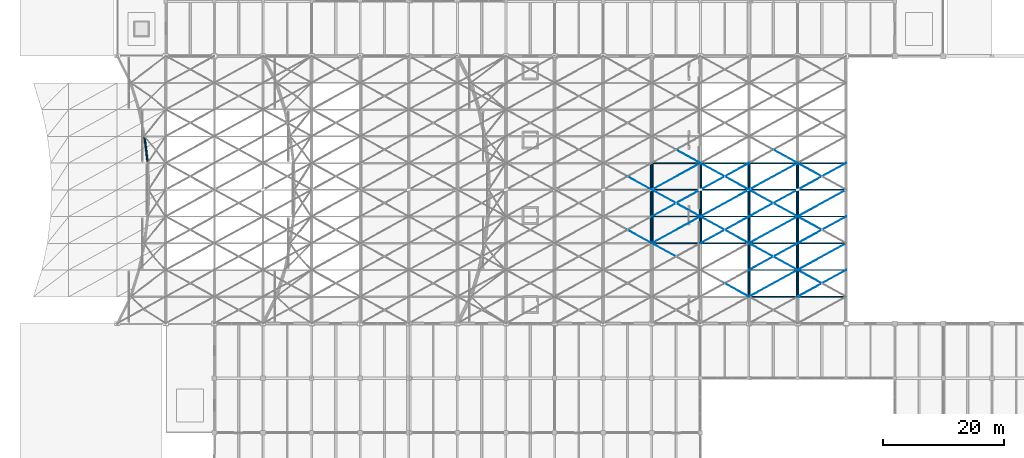
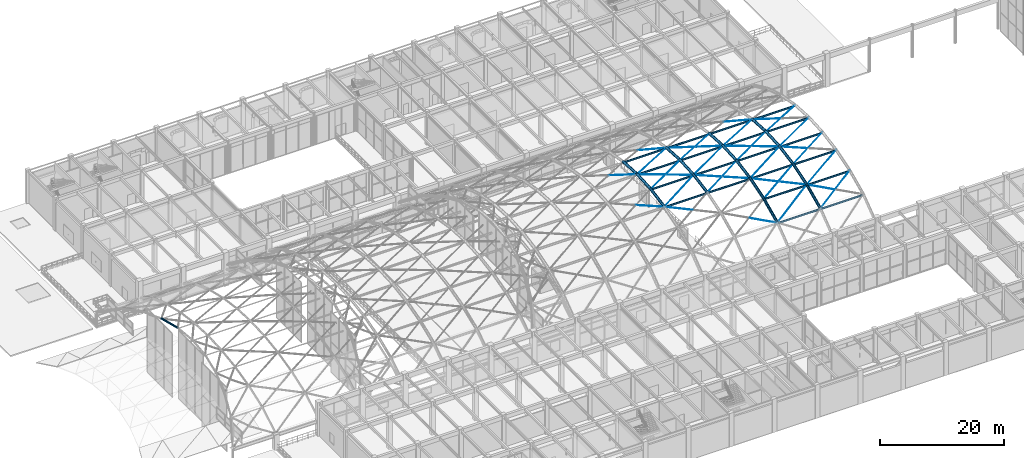
# One storey, part 50 of 163: 37 beams, 35 members.
"""IFC4 building model written with IfcOpenShell, lengths in metres."""

from ifc_helpers import new_model, si_unit, direction, frame, origin, origin_2d, place, context, subcontext, project, spatial, circle, hollow_circle, i_section, extrude, material, material_profile, profile_set, type_object, element, save


model = new_model("IFC4")

# Units and contexts
model_context = context("Model", 3, precision=1e-05, world=origin(), true_north=direction((0.0, 1.0)))
body_context = subcontext(model_context, "Body", "Model", "MODEL_VIEW")
ifc_project = project(units=[si_unit("LENGTHUNIT", "METRE"), si_unit("AREAUNIT", "SQUARE_METRE"), si_unit("VOLUMEUNIT", "CUBIC_METRE"), si_unit("PLANEANGLEUNIT", "RADIAN"), si_unit("MASSUNIT", "GRAM", prefix="KILO")], contexts=[model_context])

# Site, building, storey
site_placement = place(None, origin())
site = spatial("IfcSite", under=ifc_project, at=site_placement, CompositionType="ELEMENT")
building_placement = place(site_placement, origin())
building = spatial("IfcBuilding", under=site, at=building_placement, Name="Varnabhumi Central Station", CompositionType="ELEMENT")
storey_placement = place(building_placement, frame((0.0, 0.0, 9.60009765625)))
storey = spatial("IfcBuildingStorey", under=building, at=storey_placement, Name="L02", CompositionType="ELEMENT", Elevation=9.60009765625)

# Beams
ifc_material_1 = material(Name="Structural steel E350", Category="steel")
ifc_material_profile_1 = material_profile(ifc_material_1, hollow_circle(Radius=0.177734375, WallThickness=0.012451171875, at=origin_2d()), Name="Structural steel E350", Category="steel")
ifc_profile_set_1 = profile_set([ifc_material_profile_1], Name="Structural steel E350")
beam_type_1 = type_object("IfcBeamType", Name="BM-ARCH-CHS355", PredefinedType="BEAM", material=ifc_profile_set_1)
beam_1_placement = place(storey_placement, frame((21.0244140625, 62.39990234375, 8.79736328125), z_axis=(-0.119103158356, 0.983323968412, -0.137435114933), x_axis=(-0.992744345989, -0.120244182838, 0.0)))
element("IfcBeam", 1, at=beam_1_placement, inside=storey, type_object=beam_type_1, Name="Entrance Portico Vault Arch Rib 1 Seg 7", PredefinedType="BEAM", context=body_context, shape_type="SweptSolid", body=[
    extrude(hollow_circle(Radius=0.177734375, WallThickness=0.012451171875, at=origin_2d()), origin(), (0.0, 0.0, 1.0), 4.474853515625),
])
ifc_material_profile_2 = material_profile(ifc_material_1, hollow_circle(Radius=0.25390625, WallThickness=0.02001953125, at=origin_2d()), Name="Structural steel E350", Category="steel")
ifc_profile_set_2 = profile_set([ifc_material_profile_2], Name="Structural steel E350")
beam_type_2 = type_object("IfcBeamType", Name="BM-ARCH-CHS508", PredefinedType="BEAM", material=ifc_profile_set_2)
beam_2_placement = place(storey_placement, frame((104.0, 49.199951171875, 11.68701171875), z_axis=(0.0, 0.983888247404, 0.17878455364), x_axis=(-1.0, 0.0, 0.0)))
element("IfcBeam", 2, at=beam_2_placement, inside=storey, type_object=beam_type_2, Name="Departure Concourse Vault Arch Rib 5 Seg 4", PredefinedType="BEAM", context=body_context, shape_type="SweptSolid", body=[
    extrude(hollow_circle(Radius=0.25390625, WallThickness=0.02001953125, at=origin_2d()), origin(), (0.0, 0.0, 1.0), 4.47216796875),
])
for number, where, z_axis, x_axis, name in (
    (3, (104.0, 53.60009765625, 12.486572265625), (0.0, 0.998212519684, 0.059764249736), (-1.0, 0.0, 0.0), "Departure Concourse Vault Arch Rib 5 Seg 5"),
    (4, (104.0, 58.0, 12.75), (0.0, 0.998212519684, -0.059764249736), (-1.0, 0.0, 0.0), "Departure Concourse Vault Arch Rib 5 Seg 6"),
):
    element("IfcBeam", number, at=place(storey_placement, frame(where, z_axis=z_axis, x_axis=x_axis)), inside=storey, type_object=beam_type_2, Name=name, PredefinedType="BEAM", context=body_context, shape_type="SweptSolid", body=[
        extrude(hollow_circle(Radius=0.25390625, WallThickness=0.02001953125, at=origin_2d()), origin(), (0.0, 0.0, 1.0), 4.40771484375),
    ])
beam_3_placement = place(storey_placement, frame((112.0, 49.199951171875, 11.68701171875), z_axis=(0.0, 0.983888247404, 0.17878455364), x_axis=(-1.0, 0.0, 0.0)))
element("IfcBeam", 5, at=beam_3_placement, inside=storey, type_object=beam_type_2, Name="Departure Concourse Vault Arch Rib 6 Seg 4", PredefinedType="BEAM", context=body_context, shape_type="SweptSolid", body=[
    extrude(hollow_circle(Radius=0.25390625, WallThickness=0.02001953125, at=origin_2d()), origin(), (0.0, 0.0, 1.0), 4.47216796875),
])
for number, where, z_axis, x_axis, name in (
    (6, (112.0, 53.60009765625, 12.486572265625), (0.0, 0.998212519684, 0.059764249736), (-1.0, 0.0, 0.0), "Departure Concourse Vault Arch Rib 6 Seg 5"),
    (7, (112.0, 58.0, 12.75), (0.0, 0.998212519684, -0.059764249736), (-1.0, 0.0, 0.0), "Departure Concourse Vault Arch Rib 6 Seg 6"),
):
    element("IfcBeam", number, at=place(storey_placement, frame(where, z_axis=z_axis, x_axis=x_axis)), inside=storey, type_object=beam_type_2, Name=name, PredefinedType="BEAM", context=body_context, shape_type="SweptSolid", body=[
        extrude(hollow_circle(Radius=0.25390625, WallThickness=0.02001953125, at=origin_2d()), origin(), (0.0, 0.0, 1.0), 4.40771484375),
    ])
beam_4_placement = place(storey_placement, frame((120.0, 40.39990234375, 8.270751953125), z_axis=(0.0, 0.906832494276, 0.421491194837), x_axis=(-1.0, 0.0, 0.0)))
element("IfcBeam", 8, at=beam_4_placement, inside=storey, type_object=beam_type_2, Name="Departure Concourse Vault Arch Rib 7 Seg 2", PredefinedType="BEAM", context=body_context, shape_type="SweptSolid", body=[
    extrude(hollow_circle(Radius=0.25390625, WallThickness=0.02001953125, at=origin_2d()), origin(), (0.0, 0.0, 1.0), 4.852294921875),
])
beam_5_placement = place(storey_placement, frame((120.0, 44.800048828125, 10.31591796875), z_axis=(0.0, 0.954719095828, 0.29750873611), x_axis=(-1.0, 0.0, 0.0)))
element("IfcBeam", 9, at=beam_5_placement, inside=storey, type_object=beam_type_2, Name="Departure Concourse Vault Arch Rib 7 Seg 3", PredefinedType="BEAM", context=body_context, shape_type="SweptSolid", body=[
    extrude(hollow_circle(Radius=0.25390625, WallThickness=0.02001953125, at=origin_2d()), origin(), (0.0, 0.0, 1.0), 4.608642578125),
])
beam_6_placement = place(storey_placement, frame((120.0, 49.199951171875, 11.68701171875), z_axis=(0.0, 0.983888247404, 0.17878455364), x_axis=(-1.0, 0.0, 0.0)))
element("IfcBeam", 10, at=beam_6_placement, inside=storey, type_object=beam_type_2, Name="Departure Concourse Vault Arch Rib 7 Seg 4", PredefinedType="BEAM", context=body_context, shape_type="SweptSolid", body=[
    extrude(hollow_circle(Radius=0.25390625, WallThickness=0.02001953125, at=origin_2d()), origin(), (0.0, 0.0, 1.0), 4.47216796875),
])
for number, where, z_axis, x_axis, name in (
    (11, (120.0, 53.60009765625, 12.486572265625), (0.0, 0.998212519684, 0.059764249736), (-1.0, 0.0, 0.0), "Departure Concourse Vault Arch Rib 7 Seg 5"),
    (12, (120.0, 58.0, 12.75), (0.0, 0.998212519684, -0.059764249736), (-1.0, 0.0, 0.0), "Departure Concourse Vault Arch Rib 7 Seg 6"),
):
    element("IfcBeam", number, at=place(storey_placement, frame(where, z_axis=z_axis, x_axis=x_axis)), inside=storey, type_object=beam_type_2, Name=name, PredefinedType="BEAM", context=body_context, shape_type="SweptSolid", body=[
        extrude(hollow_circle(Radius=0.25390625, WallThickness=0.02001953125, at=origin_2d()), origin(), (0.0, 0.0, 1.0), 4.40771484375),
    ])
beam_7_placement = place(storey_placement, frame((128.0, 40.39990234375, 8.270751953125), z_axis=(0.0, 0.906832494276, 0.421491194837), x_axis=(-1.0, 0.0, 0.0)))
element("IfcBeam", 13, at=beam_7_placement, inside=storey, type_object=beam_type_2, Name="Departure Concourse Vault Arch Rib 8 Seg 2", PredefinedType="BEAM", context=body_context, shape_type="SweptSolid", body=[
    extrude(hollow_circle(Radius=0.25390625, WallThickness=0.02001953125, at=origin_2d()), origin(), (0.0, 0.0, 1.0), 4.852294921875),
])
beam_8_placement = place(storey_placement, frame((128.0, 44.800048828125, 10.31591796875), z_axis=(0.0, 0.954719095828, 0.29750873611), x_axis=(-1.0, 0.0, 0.0)))
element("IfcBeam", 14, at=beam_8_placement, inside=storey, type_object=beam_type_2, Name="Departure Concourse Vault Arch Rib 8 Seg 3", PredefinedType="BEAM", context=body_context, shape_type="SweptSolid", body=[
    extrude(hollow_circle(Radius=0.25390625, WallThickness=0.02001953125, at=origin_2d()), origin(), (0.0, 0.0, 1.0), 4.608642578125),
])
beam_9_placement = place(storey_placement, frame((128.0, 49.199951171875, 11.68701171875), z_axis=(0.0, 0.983888247404, 0.17878455364), x_axis=(-1.0, 0.0, 0.0)))
element("IfcBeam", 15, at=beam_9_placement, inside=storey, type_object=beam_type_2, Name="Departure Concourse Vault Arch Rib 8 Seg 4", PredefinedType="BEAM", context=body_context, shape_type="SweptSolid", body=[
    extrude(hollow_circle(Radius=0.25390625, WallThickness=0.02001953125, at=origin_2d()), origin(), (0.0, 0.0, 1.0), 4.47216796875),
])
for number, where, z_axis, x_axis, name in (
    (16, (128.0, 53.60009765625, 12.486572265625), (0.0, 0.998212519684, 0.059764249736), (-1.0, 0.0, 0.0), "Departure Concourse Vault Arch Rib 8 Seg 5"),
    (17, (128.0, 58.0, 12.75), (0.0, 0.998212519684, -0.059764249736), (-1.0, 0.0, 0.0), "Departure Concourse Vault Arch Rib 8 Seg 6"),
):
    element("IfcBeam", number, at=place(storey_placement, frame(where, z_axis=z_axis, x_axis=x_axis)), inside=storey, type_object=beam_type_2, Name=name, PredefinedType="BEAM", context=body_context, shape_type="SweptSolid", body=[
        extrude(hollow_circle(Radius=0.25390625, WallThickness=0.02001953125, at=origin_2d()), origin(), (0.0, 0.0, 1.0), 4.40771484375),
    ])
ifc_material_profile_3 = material_profile(ifc_material_1, i_section(OverallWidth=0.139892578125, OverallDepth=0.35009765625, WebThickness=0.008056640625, FlangeThickness=0.01416015625, FilletRadius=0.013916015625, at=origin_2d()), Name="Structural steel E350", Category="steel")
ifc_profile_set_3 = profile_set([ifc_material_profile_3], Name="Structural steel E350")
beam_type_3 = type_object("IfcBeamType", Name="BM-PUR-ISMB350", PredefinedType="LINTEL", material=ifc_profile_set_3)
for number, where, z_axis, x_axis, name in (
    (18, (104.0, 49.199951171875, 11.511962890625), (1.0, 0.0, 0.0), (0.0, 1.0, 0.0), "Departure Concourse Vault Purlin B5-L3"),
    (19, (104.0, 53.60009765625, 12.3115234375), (1.0, 0.0, 0.0), (0.0, 1.0, 0.0), "Departure Concourse Vault Purlin B5-L4"),
    (20, (104.0, 58.0, 12.574951171875), (1.0, 0.0, 0.0), (0.0, 1.0, 0.0), "Departure Concourse Vault Purlin B5-L5"),
    (21, (104.0, 62.39990234375, 12.3115234375), (1.0, 0.0, 0.0), (0.0, 1.0, 0.0), "Departure Concourse Vault Purlin B5-L6"),
    (22, (112.0, 49.199951171875, 11.511962890625), (1.0, 0.0, 0.0), (0.0, 1.0, 0.0), "Departure Concourse Vault Purlin B6-L3"),
    (23, (112.0, 53.60009765625, 12.3115234375), (1.0, 0.0, 0.0), (0.0, 1.0, 0.0), "Departure Concourse Vault Purlin B6-L4"),
    (24, (112.0, 58.0, 12.574951171875), (1.0, 0.0, 0.0), (0.0, 1.0, 0.0), "Departure Concourse Vault Purlin B6-L5"),
    (25, (112.0, 62.39990234375, 12.3115234375), (1.0, 0.0, 0.0), (0.0, 1.0, 0.0), "Departure Concourse Vault Purlin B6-L6"),
    (26, (120.0, 40.39990234375, 8.095703125), (1.0, 0.0, 0.0), (0.0, 1.0, 0.0), "Departure Concourse Vault Purlin B7-L1"),
    (27, (120.0, 44.800048828125, 10.140869140625), (1.0, 0.0, 0.0), (0.0, 1.0, 0.0), "Departure Concourse Vault Purlin B7-L2"),
    (28, (120.0, 49.199951171875, 11.511962890625), (1.0, 0.0, 0.0), (0.0, 1.0, 0.0), "Departure Concourse Vault Purlin B7-L3"),
    (29, (120.0, 53.60009765625, 12.3115234375), (1.0, 0.0, 0.0), (0.0, 1.0, 0.0), "Departure Concourse Vault Purlin B7-L4"),
    (30, (120.0, 58.0, 12.574951171875), (1.0, 0.0, 0.0), (0.0, 1.0, 0.0), "Departure Concourse Vault Purlin B7-L5"),
    (31, (120.0, 62.39990234375, 12.3115234375), (1.0, 0.0, 0.0), (0.0, 1.0, 0.0), "Departure Concourse Vault Purlin B7-L6"),
    (32, (128.0, 40.39990234375, 8.095703125), (1.0, 0.0, 0.0), (0.0, 1.0, 0.0), "Departure Concourse Vault Purlin B8-L1"),
    (33, (128.0, 44.800048828125, 10.140869140625), (1.0, 0.0, 0.0), (0.0, 1.0, 0.0), "Departure Concourse Vault Purlin B8-L2"),
    (34, (128.0, 49.199951171875, 11.511962890625), (1.0, 0.0, 0.0), (0.0, 1.0, 0.0), "Departure Concourse Vault Purlin B8-L3"),
    (35, (128.0, 53.60009765625, 12.3115234375), (1.0, 0.0, 0.0), (0.0, 1.0, 0.0), "Departure Concourse Vault Purlin B8-L4"),
    (36, (128.0, 58.0, 12.574951171875), (1.0, 0.0, 0.0), (0.0, 1.0, 0.0), "Departure Concourse Vault Purlin B8-L5"),
    (37, (128.0, 62.39990234375, 12.3115234375), (1.0, 0.0, 0.0), (0.0, 1.0, 0.0), "Departure Concourse Vault Purlin B8-L6"),
):
    element("IfcBeam", number, at=place(storey_placement, frame(where, z_axis=z_axis, x_axis=x_axis)), inside=storey, type_object=beam_type_3, Name=name, PredefinedType="LINTEL", context=body_context, shape_type="SweptSolid", body=[
        extrude(i_section(OverallWidth=0.139892578125, OverallDepth=0.35009765625, WebThickness=0.008056640625, FlangeThickness=0.01416015625, FilletRadius=0.013916015625, at=origin_2d()), origin(), (0.0, 0.0, 1.0), 8.0),
    ])

# Members
ifc_material_2 = material(Name="Spiral-strand steel S1570", Category="steel")
ifc_material_profile_4 = material_profile(ifc_material_2, circle(Radius=0.027099609375, at=origin_2d()), Name="Spiral-strand steel S1570", Category="steel")
ifc_profile_set_4 = profile_set([ifc_material_profile_4], Name="Spiral-strand steel S1570")
member_type = type_object("IfcMemberType", Name="MBR-CABLE-D54", PredefinedType="USERDEFINED", material=ifc_profile_set_4)
member_1_placement = place(storey_placement, frame((100.0, 51.39990234375, 12.0068359375), z_axis=(0.872877649429, -0.480072051941, -0.087266454453), x_axis=(0.481910537812, 0.876220425204, 0.0)))
element("IfcMember", 38, at=member_1_placement, inside=storey, type_object=member_type, Name="Departure Concourse Vault Cable-Net Split Tie B4-P4B2", ObjectType="TENSION CABLE", PredefinedType="USERDEFINED", context=body_context, shape_type="SweptSolid", body=[
    extrude(circle(Radius=0.027099609375, at=origin_2d()), origin(), (0.0, 0.0, 1.0), 4.58251953125),
])
member_2_placement = place(storey_placement, frame((100.0, 60.199951171875, 12.5380859375), z_axis=(0.875855262672, -0.481709702877, 0.028867299917), x_axis=(0.481910537812, 0.876220425204, 0.0)))
element("IfcMember", 39, at=member_2_placement, inside=storey, type_object=member_type, Name="Departure Concourse Vault Cable-Net Split Tie B4-P6B2", ObjectType="TENSION CABLE", PredefinedType="USERDEFINED", context=body_context, shape_type="SweptSolid", body=[
    extrude(circle(Radius=0.027099609375, at=origin_2d()), origin(), (0.0, 0.0, 1.0), 4.56689453125),
])
member_3_placement = place(storey_placement, frame((104.0, 49.199951171875, 11.60693359375), z_axis=(0.866504286303, -0.476566780022, -0.148507326412), x_axis=(0.481910537812, 0.876220425204, 0.0)))
element("IfcMember", 40, at=member_3_placement, inside=storey, type_object=member_type, Name="Departure Concourse Vault Cable-Net Split Tie B5-P3B1", ObjectType="TENSION CABLE", PredefinedType="USERDEFINED", context=body_context, shape_type="SweptSolid", body=[
    extrude(circle(Radius=0.027099609375, at=origin_2d()), origin(), (0.0, 0.0, 1.0), 4.6162109375),
])
member_4_placement = place(storey_placement, frame((104.0, 49.199951171875, 11.60693359375), z_axis=(0.872868515511, 0.480093666231, 0.087238903451), x_axis=(-0.481931067474, 0.876209133828, 0.0)))
element("IfcMember", 41, at=member_4_placement, inside=storey, type_object=member_type, Name="Departure Concourse Vault Cable-Net Tie B5-P4A", ObjectType="TENSION CABLE", PredefinedType="USERDEFINED", context=body_context, shape_type="SweptSolid", body=[
    extrude(circle(Radius=0.027099609375, at=origin_2d()), origin(), (0.0, 0.0, 1.0), 9.165283203125),
])
member_5_placement = place(storey_placement, frame((104.0, 53.60009765625, 12.406494140625), z_axis=(0.875855938164, 0.481710074389, 0.028840593179), x_axis=(-0.481910537812, 0.876220425204, 0.0)))
element("IfcMember", 42, at=member_5_placement, inside=storey, type_object=member_type, Name="Departure Concourse Vault Cable-Net Tie B5-P5A", ObjectType="TENSION CABLE", PredefinedType="USERDEFINED", context=body_context, shape_type="SweptSolid", body=[
    extrude(circle(Radius=0.027099609375, at=origin_2d()), origin(), (0.0, 0.0, 1.0), 9.134033203125),
])
for number, where, z_axis, x_axis, name in (
    (43, (104.0, 58.0, 12.669921875), (0.875855262672, -0.481709702877, -0.028867299917), (0.481910537812, 0.876220425204, 0.0), "Departure Concourse Vault Cable-Net Split Tie B5-P5B1"),
    (44, (108.0, 55.800048828125, 12.5380859375), (0.875856613032, -0.481710445558, -0.028813886378), (0.481910537812, 0.876220425204, 0.0), "Departure Concourse Vault Cable-Net Split Tie B5-P5B2"),
):
    element("IfcMember", number, at=place(storey_placement, frame(where, z_axis=z_axis, x_axis=x_axis)), inside=storey, type_object=member_type, Name=name, ObjectType="TENSION CABLE", PredefinedType="USERDEFINED", context=body_context, shape_type="SweptSolid", body=[
        extrude(circle(Radius=0.027099609375, at=origin_2d()), origin(), (0.0, 0.0, 1.0), 4.56689453125),
    ])
member_6_placement = place(storey_placement, frame((104.0, 58.0, 12.669921875), z_axis=(0.875855938164, 0.481710074389, -0.028840593179), x_axis=(-0.481910537812, 0.876220425204, 0.0)))
element("IfcMember", 45, at=member_6_placement, inside=storey, type_object=member_type, Name="Departure Concourse Vault Cable-Net Tie B5-P6A", ObjectType="TENSION CABLE", PredefinedType="USERDEFINED", context=body_context, shape_type="SweptSolid", body=[
    extrude(circle(Radius=0.027099609375, at=origin_2d()), origin(), (0.0, 0.0, 1.0), 9.134033203125),
])
member_7_placement = place(storey_placement, frame((108.0, 64.60009765625, 12.0068359375), z_axis=(0.872859380641, -0.480115279439, 0.087211352912), x_axis=(0.481951596342, 0.876197842262, 0.0)))
element("IfcMember", 46, at=member_7_placement, inside=storey, type_object=member_type, Name="Departure Concourse Vault Cable-Net Split Tie B5-P7B2", ObjectType="TENSION CABLE", PredefinedType="USERDEFINED", context=body_context, shape_type="SweptSolid", body=[
    extrude(circle(Radius=0.027099609375, at=origin_2d()), origin(), (0.0, 0.0, 1.0), 4.58251953125),
])
member_8_placement = place(storey_placement, frame((116.0, 42.60009765625, 9.21337890625), z_axis=(0.855015442154, -0.470300241986, -0.218554972641), x_axis=(0.481951596342, 0.876197842262, 0.0)))
element("IfcMember", 47, at=member_8_placement, inside=storey, type_object=member_type, Name="Departure Concourse Vault Cable-Net Split Tie B6-P2B2", ObjectType="TENSION CABLE", PredefinedType="USERDEFINED", context=body_context, shape_type="SweptSolid", body=[
    extrude(circle(Radius=0.027099609375, at=origin_2d()), origin(), (0.0, 0.0, 1.0), 4.67822265625),
])
member_9_placement = place(storey_placement, frame((112.0, 49.199951171875, 11.60693359375), z_axis=(0.872868515511, 0.480093666231, 0.087238903451), x_axis=(-0.481931067474, 0.876209133828, 0.0)))
element("IfcMember", 48, at=member_9_placement, inside=storey, type_object=member_type, Name="Departure Concourse Vault Cable-Net Tie B6-P4A", ObjectType="TENSION CABLE", PredefinedType="USERDEFINED", context=body_context, shape_type="SweptSolid", body=[
    extrude(circle(Radius=0.027099609375, at=origin_2d()), origin(), (0.0, 0.0, 1.0), 9.165283203125),
])
for number, where, z_axis, x_axis, name in (
    (49, (112.0, 53.60009765625, 12.406494140625), (0.872859380641, -0.480115279439, -0.087211352912), (0.481951596342, 0.876197842262, 0.0), "Departure Concourse Vault Cable-Net Split Tie B6-P4B1"),
    (50, (116.0, 51.39990234375, 12.0068359375), (0.872877649429, -0.480072051941, -0.087266454453), (0.481910537812, 0.876220425204, 0.0), "Departure Concourse Vault Cable-Net Split Tie B6-P4B2"),
):
    element("IfcMember", number, at=place(storey_placement, frame(where, z_axis=z_axis, x_axis=x_axis)), inside=storey, type_object=member_type, Name=name, ObjectType="TENSION CABLE", PredefinedType="USERDEFINED", context=body_context, shape_type="SweptSolid", body=[
        extrude(circle(Radius=0.027099609375, at=origin_2d()), origin(), (0.0, 0.0, 1.0), 4.58251953125),
    ])
for number, where, z_axis, x_axis, name in (
    (51, (112.0, 53.60009765625, 12.406494140625), (0.875855938164, 0.481710074389, 0.028840593179), (-0.481910537812, 0.876220425204, 0.0), "Departure Concourse Vault Cable-Net Tie B6-P5A"),
    (52, (112.0, 58.0, 12.669921875), (0.875855938164, 0.481710074389, -0.028840593179), (-0.481910537812, 0.876220425204, 0.0), "Departure Concourse Vault Cable-Net Tie B6-P6A"),
):
    element("IfcMember", number, at=place(storey_placement, frame(where, z_axis=z_axis, x_axis=x_axis)), inside=storey, type_object=member_type, Name=name, ObjectType="TENSION CABLE", PredefinedType="USERDEFINED", context=body_context, shape_type="SweptSolid", body=[
        extrude(circle(Radius=0.027099609375, at=origin_2d()), origin(), (0.0, 0.0, 1.0), 9.134033203125),
    ])
for number, where, z_axis, x_axis, name in (
    (53, (112.0, 62.39990234375, 12.406494140625), (0.875856613032, -0.481710445558, 0.028813886378), (0.481910537812, 0.876220425204, 0.0), "Departure Concourse Vault Cable-Net Split Tie B6-P6B1"),
    (54, (116.0, 60.199951171875, 12.5380859375), (0.875855262672, -0.481709702877, 0.028867299917), (0.481910537812, 0.876220425204, 0.0), "Departure Concourse Vault Cable-Net Split Tie B6-P6B2"),
):
    element("IfcMember", number, at=place(storey_placement, frame(where, z_axis=z_axis, x_axis=x_axis)), inside=storey, type_object=member_type, Name=name, ObjectType="TENSION CABLE", PredefinedType="USERDEFINED", context=body_context, shape_type="SweptSolid", body=[
        extrude(circle(Radius=0.027099609375, at=origin_2d()), origin(), (0.0, 0.0, 1.0), 4.56689453125),
    ])
member_10_placement = place(storey_placement, frame((120.0, 40.39990234375, 8.19091796875), z_axis=(0.855025934416, 0.470279919921, 0.218557654623), x_axis=(-0.481931067474, 0.876209133828, 0.0)))
element("IfcMember", 55, at=member_10_placement, inside=storey, type_object=member_type, Name="Departure Concourse Vault Cable-Net Tie B7-P2A", ObjectType="TENSION CABLE", PredefinedType="USERDEFINED", context=body_context, shape_type="SweptSolid", body=[
    extrude(circle(Radius=0.027099609375, at=origin_2d()), origin(), (0.0, 0.0, 1.0), 9.3564453125),
])
member_11_placement = place(storey_placement, frame((120.0, 44.800048828125, 10.23583984375), z_axis=(0.866504286303, 0.476566780022, 0.148507326412), x_axis=(-0.481910537812, 0.876220425204, 0.0)))
element("IfcMember", 56, at=member_11_placement, inside=storey, type_object=member_type, Name="Departure Concourse Vault Cable-Net Tie B7-P3A", ObjectType="TENSION CABLE", PredefinedType="USERDEFINED", context=body_context, shape_type="SweptSolid", body=[
    extrude(circle(Radius=0.027099609375, at=origin_2d()), origin(), (0.0, 0.0, 1.0), 9.232421875),
])
for number, where, z_axis, x_axis, name in (
    (57, (120.0, 49.199951171875, 11.60693359375), (0.866504286303, -0.476566780022, -0.148507326412), (0.481910537812, 0.876220425204, 0.0), "Departure Concourse Vault Cable-Net Split Tie B7-P3B1"),
    (58, (124.0, 47.0, 10.92138671875), (0.866504286303, -0.476566780022, -0.148507326412), (0.481910537812, 0.876220425204, 0.0), "Departure Concourse Vault Cable-Net Split Tie B7-P3B2"),
):
    element("IfcMember", number, at=place(storey_placement, frame(where, z_axis=z_axis, x_axis=x_axis)), inside=storey, type_object=member_type, Name=name, ObjectType="TENSION CABLE", PredefinedType="USERDEFINED", context=body_context, shape_type="SweptSolid", body=[
        extrude(circle(Radius=0.027099609375, at=origin_2d()), origin(), (0.0, 0.0, 1.0), 4.6162109375),
    ])
member_12_placement = place(storey_placement, frame((120.0, 49.199951171875, 11.60693359375), z_axis=(0.872868515511, 0.480093666231, 0.087238903451), x_axis=(-0.481931067474, 0.876209133828, 0.0)))
element("IfcMember", 59, at=member_12_placement, inside=storey, type_object=member_type, Name="Departure Concourse Vault Cable-Net Tie B7-P4A", ObjectType="TENSION CABLE", PredefinedType="USERDEFINED", context=body_context, shape_type="SweptSolid", body=[
    extrude(circle(Radius=0.027099609375, at=origin_2d()), origin(), (0.0, 0.0, 1.0), 9.165283203125),
])
member_13_placement = place(storey_placement, frame((120.0, 53.60009765625, 12.406494140625), z_axis=(0.875855938164, 0.481710074389, 0.028840593179), x_axis=(-0.481910537812, 0.876220425204, 0.0)))
element("IfcMember", 60, at=member_13_placement, inside=storey, type_object=member_type, Name="Departure Concourse Vault Cable-Net Tie B7-P5A", ObjectType="TENSION CABLE", PredefinedType="USERDEFINED", context=body_context, shape_type="SweptSolid", body=[
    extrude(circle(Radius=0.027099609375, at=origin_2d()), origin(), (0.0, 0.0, 1.0), 9.134033203125),
])
for number, where, z_axis, x_axis, name in (
    (61, (120.0, 58.0, 12.669921875), (0.875855262672, -0.481709702877, -0.028867299917), (0.481910537812, 0.876220425204, 0.0), "Departure Concourse Vault Cable-Net Split Tie B7-P5B1"),
    (62, (124.0, 55.800048828125, 12.5380859375), (0.875856613032, -0.481710445558, -0.028813886378), (0.481910537812, 0.876220425204, 0.0), "Departure Concourse Vault Cable-Net Split Tie B7-P5B2"),
):
    element("IfcMember", number, at=place(storey_placement, frame(where, z_axis=z_axis, x_axis=x_axis)), inside=storey, type_object=member_type, Name=name, ObjectType="TENSION CABLE", PredefinedType="USERDEFINED", context=body_context, shape_type="SweptSolid", body=[
        extrude(circle(Radius=0.027099609375, at=origin_2d()), origin(), (0.0, 0.0, 1.0), 4.56689453125),
    ])
member_14_placement = place(storey_placement, frame((120.0, 58.0, 12.669921875), z_axis=(0.875855938164, 0.481710074389, -0.028840593179), x_axis=(-0.481910537812, 0.876220425204, 0.0)))
element("IfcMember", 63, at=member_14_placement, inside=storey, type_object=member_type, Name="Departure Concourse Vault Cable-Net Tie B7-P6A", ObjectType="TENSION CABLE", PredefinedType="USERDEFINED", context=body_context, shape_type="SweptSolid", body=[
    extrude(circle(Radius=0.027099609375, at=origin_2d()), origin(), (0.0, 0.0, 1.0), 9.134033203125),
])
member_15_placement = place(storey_placement, frame((124.0, 64.60009765625, 12.0068359375), z_axis=(0.872859380641, -0.480115279439, 0.087211352912), x_axis=(0.481951596342, 0.876197842262, 0.0)))
element("IfcMember", 64, at=member_15_placement, inside=storey, type_object=member_type, Name="Departure Concourse Vault Cable-Net Split Tie B7-P7B2", ObjectType="TENSION CABLE", PredefinedType="USERDEFINED", context=body_context, shape_type="SweptSolid", body=[
    extrude(circle(Radius=0.027099609375, at=origin_2d()), origin(), (0.0, 0.0, 1.0), 4.58251953125),
])
member_16_placement = place(storey_placement, frame((128.0, 40.39990234375, 8.19091796875), z_axis=(0.855025934416, 0.470279919921, 0.218557654623), x_axis=(-0.481931067474, 0.876209133828, 0.0)))
element("IfcMember", 65, at=member_16_placement, inside=storey, type_object=member_type, Name="Departure Concourse Vault Cable-Net Tie B8-P2A", ObjectType="TENSION CABLE", PredefinedType="USERDEFINED", context=body_context, shape_type="SweptSolid", body=[
    extrude(circle(Radius=0.027099609375, at=origin_2d()), origin(), (0.0, 0.0, 1.0), 9.3564453125),
])
member_17_placement = place(storey_placement, frame((128.0, 44.800048828125, 10.23583984375), z_axis=(0.855036426483, -0.470259597109, -0.218560336554), x_axis=(0.481910537812, 0.876220425204, 0.0)))
element("IfcMember", 66, at=member_17_placement, inside=storey, type_object=member_type, Name="Departure Concourse Vault Cable-Net Split Tie B8-P2B1", ObjectType="TENSION CABLE", PredefinedType="USERDEFINED", context=body_context, shape_type="SweptSolid", body=[
    extrude(circle(Radius=0.027099609375, at=origin_2d()), origin(), (0.0, 0.0, 1.0), 4.67822265625),
])
member_18_placement = place(storey_placement, frame((128.0, 44.800048828125, 10.23583984375), z_axis=(0.866504286303, 0.476566780022, 0.148507326412), x_axis=(-0.481910537812, 0.876220425204, 0.0)))
element("IfcMember", 67, at=member_18_placement, inside=storey, type_object=member_type, Name="Departure Concourse Vault Cable-Net Tie B8-P3A", ObjectType="TENSION CABLE", PredefinedType="USERDEFINED", context=body_context, shape_type="SweptSolid", body=[
    extrude(circle(Radius=0.027099609375, at=origin_2d()), origin(), (0.0, 0.0, 1.0), 9.232421875),
])
member_19_placement = place(storey_placement, frame((128.0, 49.199951171875, 11.60693359375), z_axis=(0.872868515511, 0.480093666231, 0.087238903451), x_axis=(-0.481931067474, 0.876209133828, 0.0)))
element("IfcMember", 68, at=member_19_placement, inside=storey, type_object=member_type, Name="Departure Concourse Vault Cable-Net Tie B8-P4A", ObjectType="TENSION CABLE", PredefinedType="USERDEFINED", context=body_context, shape_type="SweptSolid", body=[
    extrude(circle(Radius=0.027099609375, at=origin_2d()), origin(), (0.0, 0.0, 1.0), 9.165283203125),
])
member_20_placement = place(storey_placement, frame((128.0, 53.60009765625, 12.406494140625), z_axis=(0.872859380641, -0.480115279439, -0.087211352912), x_axis=(0.481951596342, 0.876197842262, 0.0)))
element("IfcMember", 69, at=member_20_placement, inside=storey, type_object=member_type, Name="Departure Concourse Vault Cable-Net Split Tie B8-P4B1", ObjectType="TENSION CABLE", PredefinedType="USERDEFINED", context=body_context, shape_type="SweptSolid", body=[
    extrude(circle(Radius=0.027099609375, at=origin_2d()), origin(), (0.0, 0.0, 1.0), 4.58251953125),
])
for number, where, z_axis, x_axis, name in (
    (70, (128.0, 53.60009765625, 12.406494140625), (0.875855938164, 0.481710074389, 0.028840593179), (-0.481910537812, 0.876220425204, 0.0), "Departure Concourse Vault Cable-Net Tie B8-P5A"),
    (71, (128.0, 58.0, 12.669921875), (0.875855938164, 0.481710074389, -0.028840593179), (-0.481910537812, 0.876220425204, 0.0), "Departure Concourse Vault Cable-Net Tie B8-P6A"),
):
    element("IfcMember", number, at=place(storey_placement, frame(where, z_axis=z_axis, x_axis=x_axis)), inside=storey, type_object=member_type, Name=name, ObjectType="TENSION CABLE", PredefinedType="USERDEFINED", context=body_context, shape_type="SweptSolid", body=[
        extrude(circle(Radius=0.027099609375, at=origin_2d()), origin(), (0.0, 0.0, 1.0), 9.134033203125),
    ])
member_21_placement = place(storey_placement, frame((128.0, 62.39990234375, 12.406494140625), z_axis=(0.875856613032, -0.481710445558, 0.028813886378), x_axis=(0.481910537812, 0.876220425204, 0.0)))
element("IfcMember", 72, at=member_21_placement, inside=storey, type_object=member_type, Name="Departure Concourse Vault Cable-Net Split Tie B8-P6B1", ObjectType="TENSION CABLE", PredefinedType="USERDEFINED", context=body_context, shape_type="SweptSolid", body=[
    extrude(circle(Radius=0.027099609375, at=origin_2d()), origin(), (0.0, 0.0, 1.0), 4.56689453125),
])

save(model, "model.ifc")
